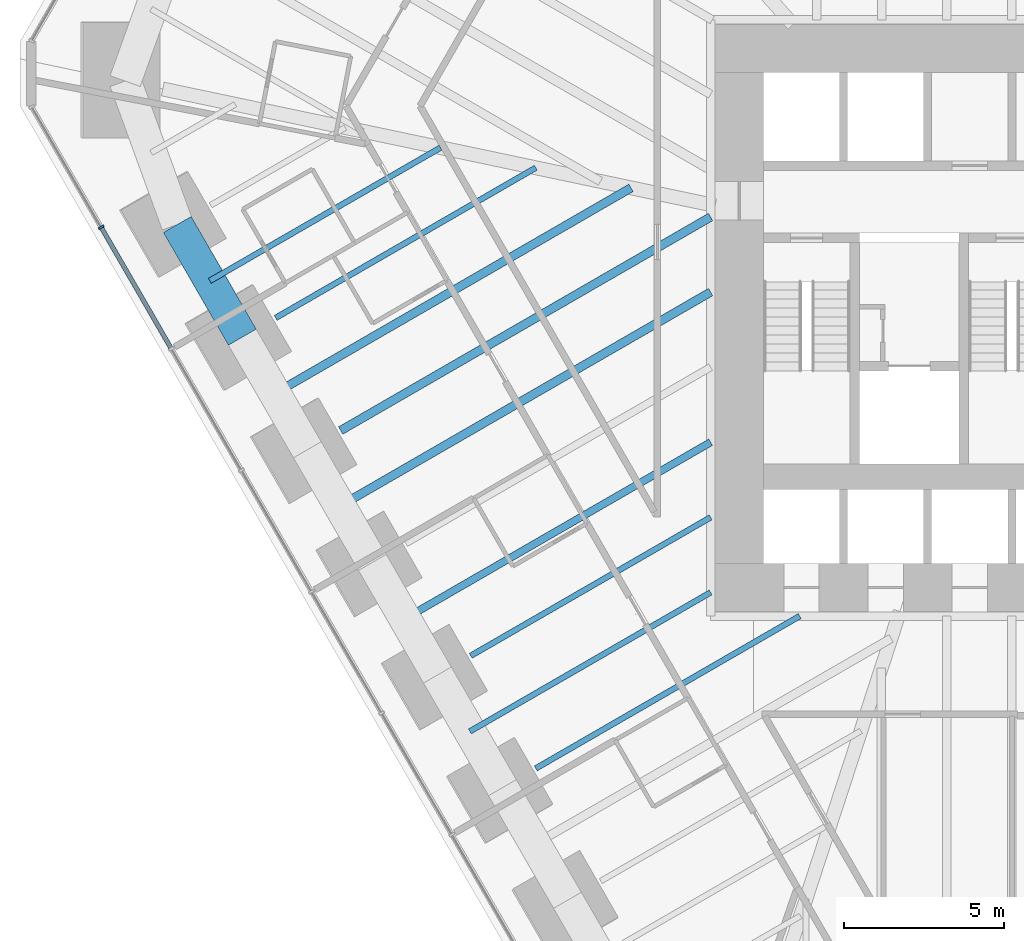
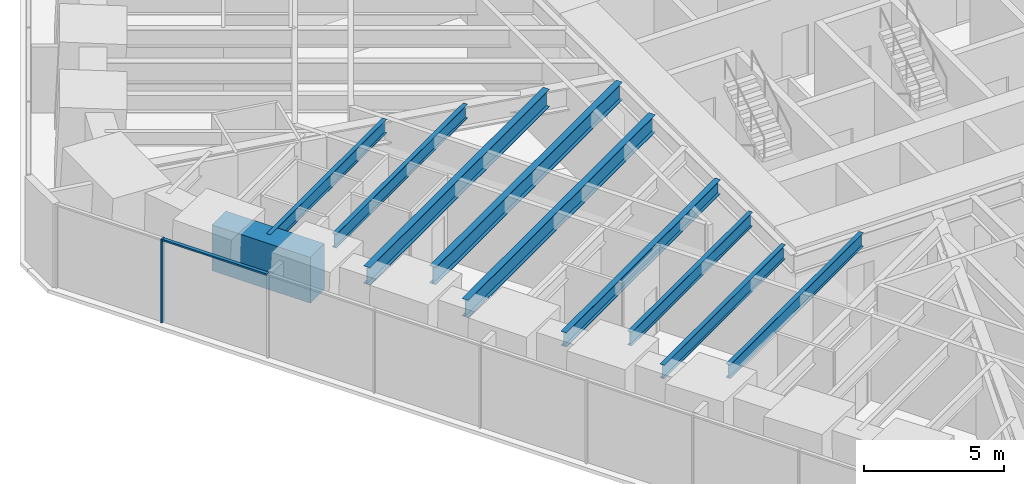
# One storey, part 3 of 17: 10 beams, 2 members, 1 element without a shape of its own.
"""IFC4 building model written with IfcOpenShell, lengths in metres."""

from ifc_helpers import new_model, si_unit, direction, frame, origin, origin_2d, place, context, subcontext, project, spatial, rectangle, i_section, extrude, material, material_profile, profile_set, type_object, element, aggregate, save


model = new_model("IFC4")

# Units and contexts
model_context = context("Model", 3, precision=1e-05, world=origin(), true_north=direction((0.0, 1.0)))
body_context = subcontext(model_context, "Body", "Model", "MODEL_VIEW")
ifc_project = project(units=[si_unit("LENGTHUNIT", "METRE"), si_unit("AREAUNIT", "SQUARE_METRE"), si_unit("VOLUMEUNIT", "CUBIC_METRE"), si_unit("PLANEANGLEUNIT", "RADIAN"), si_unit("MASSUNIT", "GRAM", prefix="KILO")], contexts=[model_context])

# Site, building, storey
site_placement = place(None, origin())
site = spatial("IfcSite", under=ifc_project, at=site_placement, CompositionType="ELEMENT")
building_placement = place(site_placement, origin())
building = spatial("IfcBuilding", under=site, at=building_placement, Name="Sandreach Pilgrim Tower", CompositionType="ELEMENT")
storey_placement = place(building_placement, frame((0.0, 0.0, 76.199951171875)))
storey = spatial("IfcBuildingStorey", under=building, at=storey_placement, Name="L18", CompositionType="ELEMENT", Elevation=76.199951171875)

# Curtain wall, members
ifc_material_1 = material(Name="Aluminium framed curtain wall", Category="aluminium")
curtain_wall_type = type_object("IfcCurtainWallType", Name="Hostel tower curtain wall", PredefinedType="NOTDEFINED", material=ifc_material_1)
curtain_wall_placement = place(storey_placement, origin())
curtain_wall = element("IfcCurtainWall", 1, at=curtain_wall_placement, inside=storey, type_object=curtain_wall_type, Name="CW-1 L18 SW", PredefinedType="NOTDEFINED")
ifc_material_2 = material(Name="Aluminium extrusion", Category="aluminium")
ifc_material_profile_1 = material_profile(ifc_material_2, rectangle(XDim=0.06494140625, YDim=0.179931640625, at=origin_2d()), Name="CW-1M 65X180")
ifc_profile_set_1 = profile_set([ifc_material_profile_1], Name="Aluminium extrusion")
member_type_1 = type_object("IfcMemberType", Name="CW-1 mullion", PredefinedType="MULLION", material=ifc_profile_set_1)
member_1_placement = place(storey_placement, frame((-28.390380859375, 1.2763671875, 0.0), z_axis=(0.0, 0.0, 1.0), x_axis=(-0.5, 0.866025403784, 0.0)))
member_1 = element("IfcMember", 2, at=member_1_placement, type_object=member_type_1, Name="CW-1 mullion 9", PredefinedType="MULLION", context=body_context, shape_type="SweptSolid", body=[
    extrude(rectangle(XDim=0.06494140625, YDim=0.179931640625, at=origin_2d()), origin(), (0.0, 0.0, 1.0), 3.64013671875),
])
ifc_material_3 = material(Name="Aluminium extrusion", Category="aluminium")
ifc_material_profile_2 = material_profile(ifc_material_3, rectangle(XDim=0.139892578125, YDim=0.070068359375, at=origin_2d()), Name="CW-1T 140X70")
ifc_profile_set_2 = profile_set([ifc_material_profile_2], Name="Aluminium extrusion")
member_type_2 = type_object("IfcMemberType", Name="CW-1 transom", PredefinedType="USERDEFINED", material=ifc_profile_set_2)
member_2_placement = place(storey_placement, frame((-26.220947265625, -2.4814453125, 3.60498046875), z_axis=(-0.500016891966, 0.866015650984, 0.0), x_axis=(-0.866015650984, -0.500016891966, 0.0)))
member_2 = element("IfcMember", 3, at=member_2_placement, type_object=member_type_2, Name="CW-1 head transom 8", ObjectType="TRANSOM", PredefinedType="USERDEFINED", context=body_context, shape_type="SweptSolid", body=[
    extrude(rectangle(XDim=0.139892578125, YDim=0.070068359375, at=origin_2d()), origin(), (0.0, 0.0, 1.0), 4.306396484375),
])
aggregate(curtain_wall, [member_1, member_2])

# Beams
ifc_material_4 = material(Name="Steel ASTM A992 Grade 50", Category="steel")
ifc_material_profile_3 = material_profile(ifc_material_4, i_section(OverallWidth=0.1787109375, OverallDepth=0.60205078125, WebThickness=0.010986328125, FlangeThickness=0.014892578125, at=origin_2d()), Name="W24X62")
ifc_profile_set_3 = profile_set([ifc_material_profile_3], Name="Steel ASTM A992 Grade 50")
beam_type_1 = type_object("IfcBeamType", Name="Floor beam W24X62", PredefinedType="BEAM", material=ifc_profile_set_3)
beam_1_placement = place(storey_placement, frame((-14.843505859375, -15.592529296875, 3.339111328125), z_axis=(0.866021648766, 0.500006503827, 0.0), x_axis=(-0.500006503827, 0.866021648766, 0.0)))
element("IfcBeam", 4, at=beam_1_placement, inside=storey, type_object=beam_type_1, Name="BM L18 F29", PredefinedType="BEAM", context=body_context, shape_type="SweptSolid", body=[
    extrude(i_section(OverallWidth=0.1787109375, OverallDepth=0.60205078125, WebThickness=0.010986328125, FlangeThickness=0.014892578125, at=origin_2d()), origin(), (0.0, 0.0, 1.0), 9.498291015625),
])
beam_2_placement = place(storey_placement, frame((-16.87060546875, -12.0810546875, 3.339111328125), z_axis=(0.866031607779, 0.499989254212, 0.0), x_axis=(-0.499989254212, 0.866031607779, 0.0)))
element("IfcBeam", 5, at=beam_2_placement, inside=storey, type_object=beam_type_1, Name="BM L18 F30", PredefinedType="BEAM", context=body_context, shape_type="SweptSolid", body=[
    extrude(i_section(OverallWidth=0.1787109375, OverallDepth=0.60205078125, WebThickness=0.010986328125, FlangeThickness=0.014892578125, at=origin_2d()), origin(), (0.0, 0.0, 1.0), 8.634033203125),
])
beam_3_placement = place(storey_placement, frame((-22.952392578125, -1.54736328125, 3.339111328125), z_axis=(0.866024919851, 0.500000838196, 0.0), x_axis=(-0.500000838196, 0.866024919851, 0.0)))
element("IfcBeam", 6, at=beam_3_placement, inside=storey, type_object=beam_type_1, Name="BM L18 F33", PredefinedType="BEAM", context=body_context, shape_type="SweptSolid", body=[
    extrude(i_section(OverallWidth=0.1787109375, OverallDepth=0.60205078125, WebThickness=0.010986328125, FlangeThickness=0.014892578125, at=origin_2d()), origin(), (0.0, 0.0, 1.0), 9.36279296875),
])
beam_4_placement = place(storey_placement, frame((-16.896240234375, -14.436767578125, 3.339111328125), z_axis=(0.866026971441, 0.499997284729, 0.0), x_axis=(-0.499997284729, 0.866026971441, 0.0)))
element("IfcBeam", 7, at=beam_4_placement, inside=storey, type_object=beam_type_1, Name="BM L18 FM29", PredefinedType="BEAM", context=body_context, shape_type="SweptSolid", body=[
    extrude(i_section(OverallWidth=0.1787109375, OverallDepth=0.60205078125, WebThickness=0.010986328125, FlangeThickness=0.014892578125, at=origin_2d()), origin(), (0.0, 0.0, 1.0), 8.66357421875),
])
beam_5_placement = place(storey_placement, frame((-25.00537109375, -0.3916015625, 3.339111328125), z_axis=(0.86602208059, 0.500005755898, 0.0), x_axis=(-0.500005755898, 0.86602208059, 0.0)))
element("IfcBeam", 8, at=beam_5_placement, inside=storey, type_object=beam_type_1, Name="BM L18 FM33", PredefinedType="BEAM", context=body_context, shape_type="SweptSolid", body=[
    extrude(i_section(OverallWidth=0.1787109375, OverallDepth=0.60205078125, WebThickness=0.010986328125, FlangeThickness=0.014892578125, at=origin_2d()), origin(), (0.0, 0.0, 1.0), 8.30517578125),
])
ifc_material_5 = material(Name="Steel ASTM A992 Grade 50", Category="steel")
ifc_material_profile_4 = material_profile(ifc_material_5, i_section(OverallWidth=0.23046875, OverallDepth=0.6171875, WebThickness=0.01318359375, FlangeThickness=0.022216796875, at=origin_2d()), Name="W24X94")
ifc_profile_set_4 = profile_set([ifc_material_profile_4], Name="Steel ASTM A992 Grade 50")
beam_type_2 = type_object("IfcBeamType", Name="Floor beam W24X94", PredefinedType="BEAM", material=ifc_profile_set_4)
beam_6_placement = place(storey_placement, frame((-18.923583984375, -10.925537109375, 3.33154296875), z_axis=(0.866029679712, 0.499992593803, 0.0), x_axis=(-0.499992593803, 0.866029679712, 0.0)))
element("IfcBeam", 9, at=beam_6_placement, inside=storey, type_object=beam_type_2, Name="BM L18 FM30", PredefinedType="BEAM", context=body_context, shape_type="SweptSolid", body=[
    extrude(i_section(OverallWidth=0.23046875, OverallDepth=0.6171875, WebThickness=0.01318359375, FlangeThickness=0.022216796875, at=origin_2d()), origin(), (0.0, 0.0, 1.0), 11.004638671875),
])
ifc_material_6 = material(Name="Steel ASTM A992 Grade 50", Category="steel")
ifc_material_profile_5 = material_profile(ifc_material_6, i_section(OverallWidth=0.2666015625, OverallDepth=0.761962890625, WebThickness=0.014404296875, FlangeThickness=0.021484375, at=origin_2d()), Name="W30X116")
ifc_profile_set_5 = profile_set([ifc_material_profile_5], Name="Steel ASTM A992 Grade 50")
beam_type_3 = type_object("IfcBeamType", Name="Floor beam W30X116", PredefinedType="BEAM", material=ifc_profile_set_5)
beam_7_placement = place(storey_placement, frame((-20.92529296875, -5.05859375, 3.259033203125), z_axis=(0.866026514971, 0.499998075363, 0.0), x_axis=(-0.499998075363, 0.866026514971, 0.0)))
element("IfcBeam", 10, at=beam_7_placement, inside=storey, type_object=beam_type_3, Name="BM L18 F32", PredefinedType="BEAM", context=body_context, shape_type="SweptSolid", body=[
    extrude(i_section(OverallWidth=0.2666015625, OverallDepth=0.761962890625, WebThickness=0.014404296875, FlangeThickness=0.021484375, at=origin_2d()), origin(), (0.0, 0.0, 1.0), 13.31591796875),
])
beam_8_placement = place(storey_placement, frame((-20.95068359375, -7.414306640625, 3.259033203125), z_axis=(0.86601894286, 0.500011190482, 0.0), x_axis=(-0.500011190482, 0.86601894286, 0.0)))
element("IfcBeam", 11, at=beam_8_placement, inside=storey, type_object=beam_type_3, Name="BM L18 FM31", PredefinedType="BEAM", context=body_context, shape_type="SweptSolid", body=[
    extrude(i_section(OverallWidth=0.2666015625, OverallDepth=0.761962890625, WebThickness=0.014404296875, FlangeThickness=0.021484375, at=origin_2d()), origin(), (0.0, 0.0, 1.0), 13.345458984375),
])
beam_9_placement = place(storey_placement, frame((-22.97802734375, -3.90283203125, 3.259033203125), z_axis=(0.866026708223, 0.49999774064, 0.0), x_axis=(-0.49999774064, 0.866026708223, 0.0)))
element("IfcBeam", 12, at=beam_9_placement, inside=storey, type_object=beam_type_3, Name="BM L18 FM32", PredefinedType="BEAM", context=body_context, shape_type="SweptSolid", body=[
    extrude(i_section(OverallWidth=0.2666015625, OverallDepth=0.761962890625, WebThickness=0.014404296875, FlangeThickness=0.021484375, at=origin_2d()), origin(), (0.0, 0.0, 1.0), 12.8203125),
])
ifc_material_7 = material(Name="Concrete 10000 psi", Category="concrete")
ifc_material_profile_6 = material_profile(ifc_material_7, rectangle(XDim=1.0, YDim=2.0, at=origin_2d()), Name="RC1000X2000")
ifc_profile_set_6 = profile_set([ifc_material_profile_6], Name="Concrete 10000 psi")
beam_type_4 = type_object("IfcBeamType", Name="Spandrel beam RC1000X2000", PredefinedType="SPANDREL", material=ifc_profile_set_6)
beam_10_placement = place(storey_placement, frame((-23.99169921875, -2.147216796875, 2.64013671875), z_axis=(-0.499979605739, 0.866037178096, 0.0), x_axis=(-0.866037178096, -0.499979605739, 0.0)))
element("IfcBeam", 13, at=beam_10_placement, inside=storey, type_object=beam_type_4, Name="BM L18 SP33", PredefinedType="SPANDREL", context=body_context, shape_type="SweptSolid", body=[
    extrude(rectangle(XDim=1.0, YDim=2.0, at=origin_2d()), origin(), (0.0, 0.0, 1.0), 4.054443359375),
])

save(model, "model.ifc")
